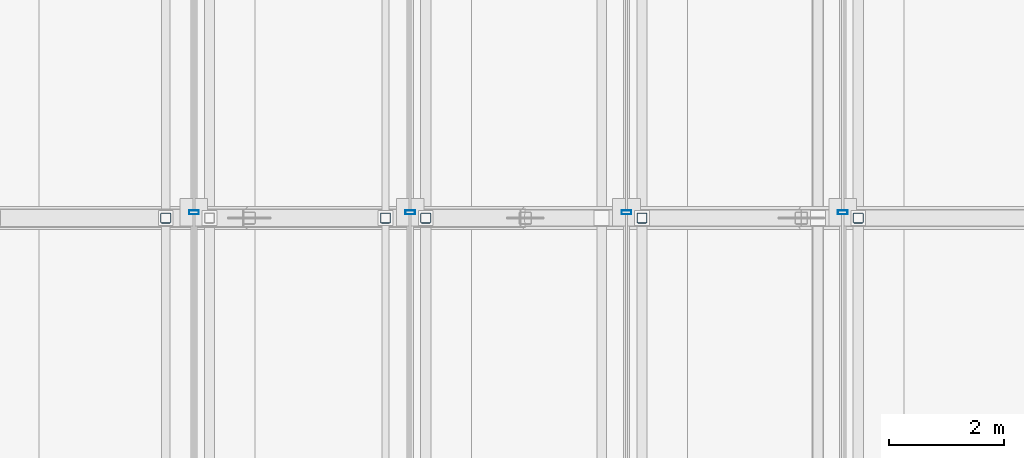
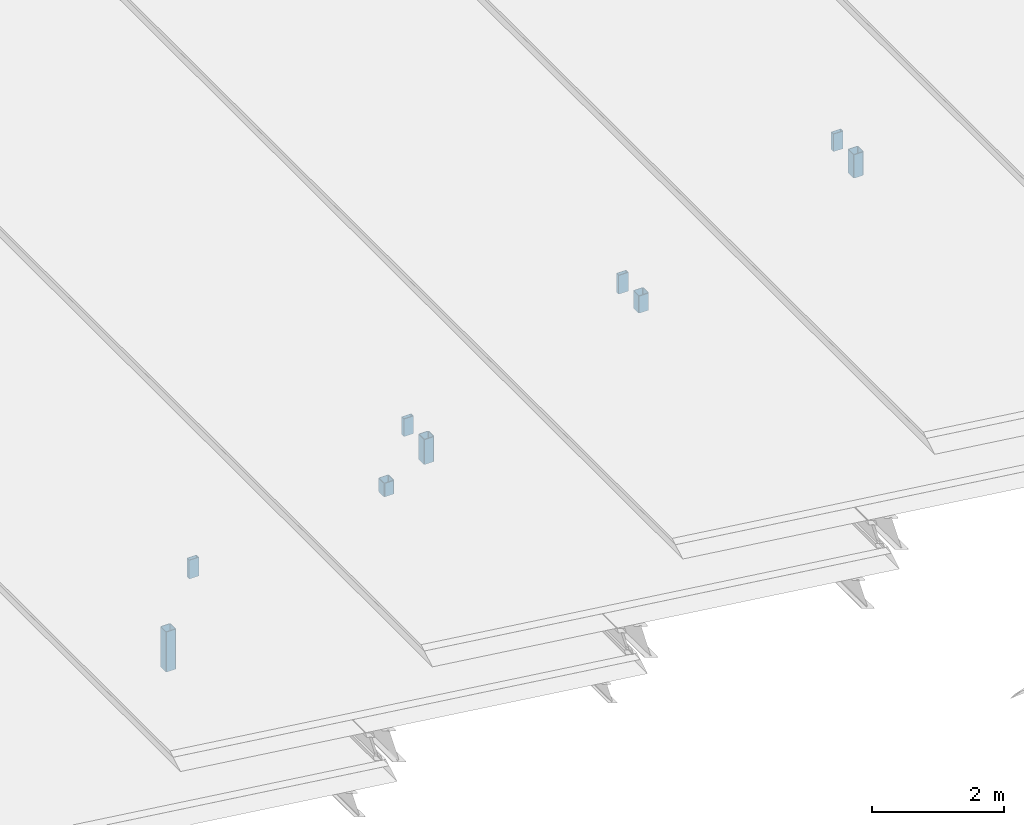
# One storey, part 51 of 117: 9 members, 4 elements without a shape of their own.
"""IFC4 building model written with IfcOpenShell, lengths in metres."""

from ifc_helpers import new_model, si_unit, direction, frame, origin, origin_2d, place, context, subcontext, project, spatial, hollow_rectangle, extrude, material, material_profile, profile_set, type_object, element, aggregate, save


model = new_model("IFC4")

# Units and contexts
model_context = context("Model", 3, precision=1e-05, world=origin(), true_north=direction((0.0, 1.0)))
body_context = subcontext(model_context, "Body", "Model", "MODEL_VIEW")
ifc_project = project(units=[si_unit("LENGTHUNIT", "METRE"), si_unit("AREAUNIT", "SQUARE_METRE"), si_unit("VOLUMEUNIT", "CUBIC_METRE"), si_unit("PLANEANGLEUNIT", "RADIAN"), si_unit("MASSUNIT", "GRAM", prefix="KILO")], contexts=[model_context])

# Site, building, storey
site_placement = place(None, origin())
site = spatial("IfcSite", under=ifc_project, at=site_placement, CompositionType="ELEMENT")
building_placement = place(site_placement, origin())
building = spatial("IfcBuilding", under=site, at=building_placement, Name="Merenkruunu Market Hall", CompositionType="ELEMENT")
storey_placement = place(building_placement, frame((0.0, 0.0, 22.800048828125)))
storey = spatial("IfcBuildingStorey", under=building, at=storey_placement, Name="RF", CompositionType="ELEMENT", Elevation=22.800048828125)

# Curtain wall, member
ifc_material_1 = material(Name="Powder-coated aluminium", Category="aluminium")
curtain_wall_type = type_object("IfcCurtainWallType", Name="Clerestory Curtain Band CL05", PredefinedType="USERDEFINED", material=ifc_material_1)
curtain_wall_1_placement = place(storey_placement, origin())
curtain_wall_1 = element("IfcCurtainWall", 1, at=curtain_wall_1_placement, inside=storey, type_object=curtain_wall_type, Name="CW-RF-CWM04-081", ObjectType="CLERESTORY_BAND", PredefinedType="USERDEFINED")
ifc_material_profile_1 = material_profile(ifc_material_1, hollow_rectangle(XDim=0.070068359375, YDim=0.169921875, WallThickness=0.0048828125, at=origin_2d()), Name="ALU 70x170x5")
ifc_profile_set_1 = profile_set([ifc_material_profile_1], Name="Powder-coated aluminium")
member_type_1 = type_object("IfcMemberType", Name="Curtain Wall Mullion CWM04", PredefinedType="MULLION", material=ifc_profile_set_1)
member_1_placement = place(storey_placement, frame((3.840087890625, 27.699951171875, -6.52197265625), z_axis=(0.0, 0.0, 1.0), x_axis=(0.0, 1.0, 0.0)))
member_1 = element("IfcMember", 2, at=member_1_placement, type_object=member_type_1, Name="CL05 mullion 3", PredefinedType="MULLION", context=body_context, shape_type="SweptSolid", body=[
    extrude(hollow_rectangle(XDim=0.070068359375, YDim=0.169921875, WallThickness=0.0048828125, at=origin_2d()), origin(), (0.0, 0.0, 1.0), 0.347900390625),
])
aggregate(curtain_wall_1, [member_1])

curtain_wall_2_placement = place(storey_placement, origin())
curtain_wall_2 = element("IfcCurtainWall", 3, at=curtain_wall_2_placement, inside=storey, type_object=curtain_wall_type, Name="CW-RF-CWM04-089", ObjectType="CLERESTORY_BAND", PredefinedType="USERDEFINED")
member_2_placement = place(storey_placement, frame((7.60009765625, 27.699951171875, -5.2021484375), z_axis=(0.0, 0.0, 1.0), x_axis=(0.0, 1.0, 0.0)))
member_2 = element("IfcMember", 4, at=member_2_placement, type_object=member_type_1, Name="CL05 mullion 3", PredefinedType="MULLION", context=body_context, shape_type="SweptSolid", body=[
    extrude(hollow_rectangle(XDim=0.070068359375, YDim=0.169921875, WallThickness=0.0048828125, at=origin_2d()), origin(), (0.0, 0.0, 1.0), 0.3271484375),
])
aggregate(curtain_wall_2, [member_2])

curtain_wall_3_placement = place(storey_placement, origin())
curtain_wall_3 = element("IfcCurtainWall", 5, at=curtain_wall_3_placement, inside=storey, type_object=curtain_wall_type, Name="CW-RF-CWM04-097", ObjectType="CLERESTORY_BAND", PredefinedType="USERDEFINED")
member_3_placement = place(storey_placement, frame((11.360107421875, 27.699951171875, -3.882080078125), z_axis=(0.0, 0.0, 1.0), x_axis=(0.0, 1.0, 0.0)))
member_3 = element("IfcMember", 6, at=member_3_placement, type_object=member_type_1, Name="CL05 mullion 3", PredefinedType="MULLION", context=body_context, shape_type="SweptSolid", body=[
    extrude(hollow_rectangle(XDim=0.070068359375, YDim=0.169921875, WallThickness=0.0048828125, at=origin_2d()), origin(), (0.0, 0.0, 1.0), 0.34814453125),
])
aggregate(curtain_wall_3, [member_3])

curtain_wall_4_placement = place(storey_placement, origin())
curtain_wall_4 = element("IfcCurtainWall", 7, at=curtain_wall_4_placement, inside=storey, type_object=curtain_wall_type, Name="CW-RF-CWM04-105", ObjectType="CLERESTORY_BAND", PredefinedType="USERDEFINED")
member_4_placement = place(storey_placement, frame((15.1201171875, 27.699951171875, -2.56201171875), z_axis=(0.0, 0.0, 1.0), x_axis=(0.0, 1.0, 0.0)))
member_4 = element("IfcMember", 8, at=member_4_placement, type_object=member_type_1, Name="CL05 mullion 3", PredefinedType="MULLION", context=body_context, shape_type="SweptSolid", body=[
    extrude(hollow_rectangle(XDim=0.070068359375, YDim=0.169921875, WallThickness=0.0048828125, at=origin_2d()), origin(), (0.0, 0.0, 1.0), 0.326904296875),
])
aggregate(curtain_wall_4, [member_4])

# Members
ifc_material_2 = material(Name="Steel S355J2", Category="steel")
ifc_material_profile_2 = material_profile(ifc_material_2, hollow_rectangle(XDim=0.179931640625, YDim=0.179931640625, WallThickness=0.010009765625, InnerFilletRadius=0.010009765625, OuterFilletRadius=0.02001953125, at=origin_2d()), Name="SHS 180x180x10")
ifc_profile_set_2 = profile_set([ifc_material_profile_2], Name="Steel S355J2")
member_type_2 = type_object("IfcMemberType", Name="Diagonal Sway Brace BR05", PredefinedType="BRACE", material=ifc_profile_set_2)
member_5_placement = place(storey_placement, frame((3.35009765625, 27.60009765625, -7.98095703125), z_axis=(0.0, 0.0, 1.0), x_axis=(1.0, 0.0, 0.0)))
element("IfcMember", 9, at=member_5_placement, inside=storey, type_object=member_type_2, Name="TRUSS-AT-2-RISER-W1-2", PredefinedType="BRACE", context=body_context, shape_type="SweptSolid", body=[
    extrude(hollow_rectangle(XDim=0.179931640625, YDim=0.179931640625, WallThickness=0.010009765625, InnerFilletRadius=0.010009765625, OuterFilletRadius=0.02001953125, at=origin_2d()), origin(), (0.0, 0.0, 1.0), 0.741455078125),
])
member_6_placement = place(storey_placement, frame((7.169921875, 27.60009765625, -6.075439453125), z_axis=(0.0, 0.0, 1.0), x_axis=(1.0, 0.0, 0.0)))
element("IfcMember", 10, at=member_6_placement, inside=storey, type_object=member_type_2, Name="TRUSS-AT-2-RISER-W2-2", PredefinedType="BRACE", context=body_context, shape_type="SweptSolid", body=[
    extrude(hollow_rectangle(XDim=0.179931640625, YDim=0.179931640625, WallThickness=0.010009765625, InnerFilletRadius=0.010009765625, OuterFilletRadius=0.02001953125, at=origin_2d()), origin(), (0.0, 0.0, 1.0), 0.25),
])
member_7_placement = place(storey_placement, frame((7.8701171875, 27.60009765625, -5.720947265625), z_axis=(0.0, 0.0, 1.0), x_axis=(1.0, 0.0, 0.0)))
element("IfcMember", 11, at=member_7_placement, inside=storey, type_object=member_type_2, Name="TRUSS-AT-2-RISER-W3-1", PredefinedType="BRACE", context=body_context, shape_type="SweptSolid", body=[
    extrude(hollow_rectangle(XDim=0.179931640625, YDim=0.179931640625, WallThickness=0.010009765625, InnerFilletRadius=0.010009765625, OuterFilletRadius=0.02001953125, at=origin_2d()), origin(), (0.0, 0.0, 1.0), 0.462646484375),
])
member_8_placement = place(storey_placement, frame((11.6298828125, 27.60009765625, -4.23583984375), z_axis=(0.0, 0.0, 1.0), x_axis=(1.0, 0.0, 0.0)))
element("IfcMember", 12, at=member_8_placement, inside=storey, type_object=member_type_2, Name="TRUSS-AT-2-RISER-W4-1", PredefinedType="BRACE", context=body_context, shape_type="SweptSolid", body=[
    extrude(hollow_rectangle(XDim=0.179931640625, YDim=0.179931640625, WallThickness=0.010009765625, InnerFilletRadius=0.010009765625, OuterFilletRadius=0.02001953125, at=origin_2d()), origin(), (0.0, 0.0, 1.0), 0.31787109375),
])
member_9_placement = place(storey_placement, frame((15.389892578125, 27.60009765625, -3.053955078125), z_axis=(0.0, 0.0, 1.0), x_axis=(1.0, 0.0, 0.0)))
element("IfcMember", 13, at=member_9_placement, inside=storey, type_object=member_type_2, Name="TRUSS-AT-2-RISER-W5-1", PredefinedType="BRACE", context=body_context, shape_type="SweptSolid", body=[
    extrude(hollow_rectangle(XDim=0.179931640625, YDim=0.179931640625, WallThickness=0.010009765625, InnerFilletRadius=0.010009765625, OuterFilletRadius=0.02001953125, at=origin_2d()), origin(), (0.0, 0.0, 1.0), 0.435546875),
])

save(model, "model.ifc")
